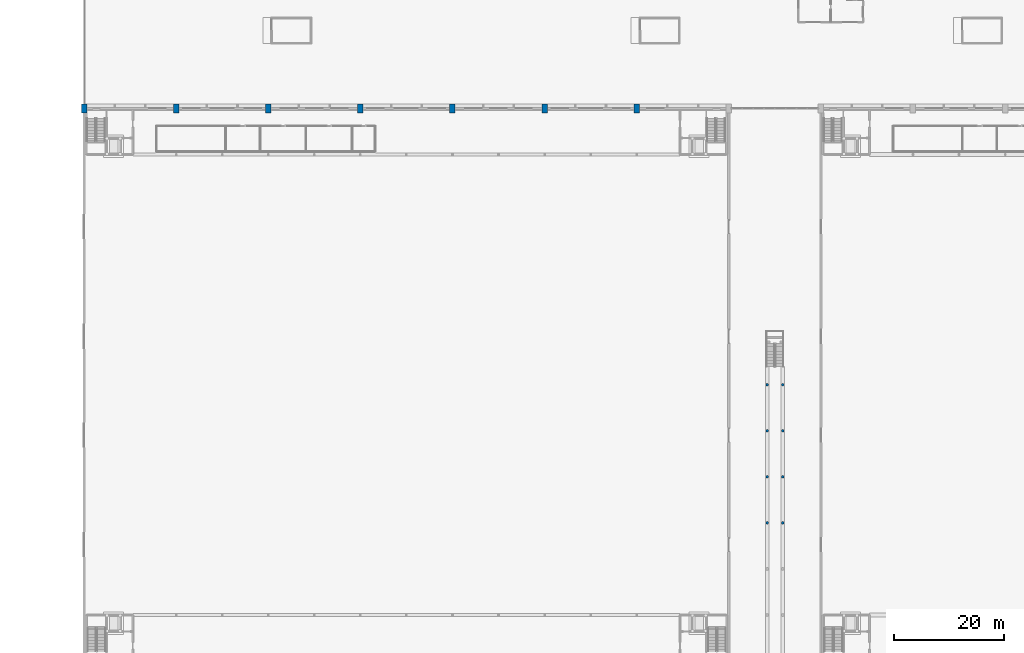
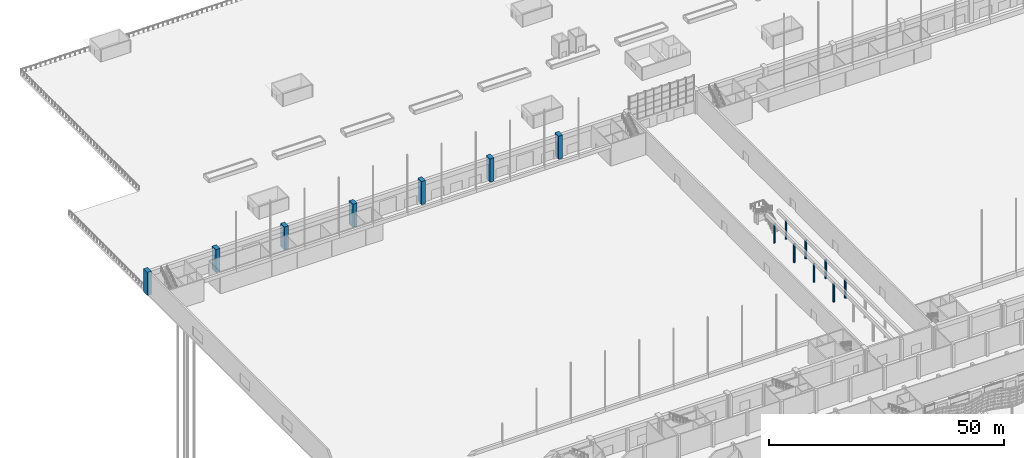
# One storey, part 18 of 210: 15 columns.
"""IFC4 building model written with IfcOpenShell, lengths in metres."""

from ifc_helpers import new_model, si_unit, direction, frame, origin, origin_2d, place, context, subcontext, project, spatial, rectangle, circle, extrude, material, material_profile, profile_set, type_object, element, save


model = new_model("IFC4")

# Units and contexts
model_context = context("Model", 3, precision=1e-05, world=origin(), true_north=direction((0.0, 1.0)))
body_context = subcontext(model_context, "Body", "Model", "MODEL_VIEW")
ifc_project = project(units=[si_unit("LENGTHUNIT", "METRE"), si_unit("AREAUNIT", "SQUARE_METRE"), si_unit("VOLUMEUNIT", "CUBIC_METRE"), si_unit("PLANEANGLEUNIT", "RADIAN"), si_unit("MASSUNIT", "GRAM", prefix="KILO")], contexts=[model_context])

# Site, building, storey
site_placement = place(None, origin())
site = spatial("IfcSite", under=ifc_project, at=site_placement, CompositionType="ELEMENT")
building_placement = place(site_placement, origin())
building = spatial("IfcBuilding", under=site, at=building_placement, Name="Rain Tree Exposition and Congress Centre", CompositionType="ELEMENT")
storey_placement = place(building_placement, origin())
storey = spatial("IfcBuildingStorey", under=building, at=storey_placement, Name="L00", CompositionType="ELEMENT", Elevation=0.0)

# Columns
ifc_material_1 = material(Name="Precast concrete C50/60", Category="concrete")
ifc_material_profile_1 = material_profile(ifc_material_1, rectangle(XDim=1.0, YDim=1.60009765625, at=origin_2d()), Name="RC 1000x1600")
ifc_profile_set_1 = profile_set([ifc_material_profile_1], Name="Precast concrete C50/60")
column_type_1 = type_object("IfcColumnType", Name="Precast column 1000x1600", PredefinedType="COLUMN", material=ifc_profile_set_1)
for number, where, z_axis, x_axis, name in (
    (1, (8.39990234375, 201.60009765625, 0.0), (0.0, 0.0, 1.0), (1.0, 0.0, 0.0), "Expressed column 9"),
    (2, (25.199951171875, 201.60009765625, 0.0), (0.0, 0.0, 1.0), (1.0, 0.0, 0.0), "Expressed column 10"),
    (3, (42.0, 201.60009765625, 0.0), (0.0, 0.0, 1.0), (1.0, 0.0, 0.0), "Expressed column 11"),
    (4, (58.800048828125, 201.60009765625, 0.0), (0.0, 0.0, 1.0), (1.0, 0.0, 0.0), "Expressed column 12"),
    (5, (75.60009765625, 201.60009765625, 0.0), (0.0, 0.0, 1.0), (1.0, 0.0, 0.0), "Expressed column 13"),
    (6, (92.39990234375, 201.60009765625, 0.0), (0.0, 0.0, 1.0), (1.0, 0.0, 0.0), "Expressed column 14"),
    (7, (109.199951171875, 201.60009765625, 0.0), (0.0, 0.0, 1.0), (1.0, 0.0, 0.0), "Expressed column 15"),
):
    element("IfcColumn", number, at=place(storey_placement, frame(where, z_axis=z_axis, x_axis=x_axis)), inside=storey, type_object=column_type_1, Name=name, PredefinedType="COLUMN", context=body_context, shape_type="SweptSolid", body=[
        extrude(rectangle(XDim=1.0, YDim=1.60009765625, at=origin_2d()), origin(), (0.0, 0.0, 1.0), 6.0),
    ])
ifc_material_2 = material(Name="Precast concrete C50/60", Category="concrete")
ifc_material_profile_2 = material_profile(ifc_material_2, circle(Radius=0.25, at=origin_2d()), Name="RC D500")
ifc_profile_set_2 = profile_set([ifc_material_profile_2], Name="Precast concrete C50/60")
column_type_2 = type_object("IfcColumnType", Name="Precast round column 500", PredefinedType="COLUMN", material=ifc_profile_set_2)
for number, where, z_axis, x_axis, name in (
    (8, (133.0, 126.0, 0.0), (0.0, 0.0, 1.0), (1.0, 0.0, 0.0), "Link walk column 20"),
    (9, (135.85009765625, 126.0, 0.0), (0.0, 0.0, 1.0), (1.0, 0.0, 0.0), "Link walk column 21"),
    (10, (133.0, 134.39990234375, 0.0), (0.0, 0.0, 1.0), (1.0, 0.0, 0.0), "Link walk column 30"),
    (11, (135.85009765625, 134.39990234375, 0.0), (0.0, 0.0, 1.0), (1.0, 0.0, 0.0), "Link walk column 31"),
    (12, (133.0, 142.800048828125, 0.0), (0.0, 0.0, 1.0), (1.0, 0.0, 0.0), "Link walk column 40"),
    (13, (135.85009765625, 142.800048828125, 0.0), (0.0, 0.0, 1.0), (1.0, 0.0, 0.0), "Link walk column 41"),
    (14, (133.0, 151.199951171875, 0.0), (0.0, 0.0, 1.0), (1.0, 0.0, 0.0), "Link walk column 50"),
    (15, (135.85009765625, 151.199951171875, 0.0), (0.0, 0.0, 1.0), (1.0, 0.0, 0.0), "Link walk column 51"),
):
    element("IfcColumn", number, at=place(storey_placement, frame(where, z_axis=z_axis, x_axis=x_axis)), inside=storey, type_object=column_type_2, Name=name, PredefinedType="COLUMN", context=body_context, shape_type="SweptSolid", body=[
        extrude(circle(Radius=0.25, at=origin_2d()), origin(), (0.0, 0.0, 1.0), 4.800048828125),
    ])

save(model, "model.ifc")
